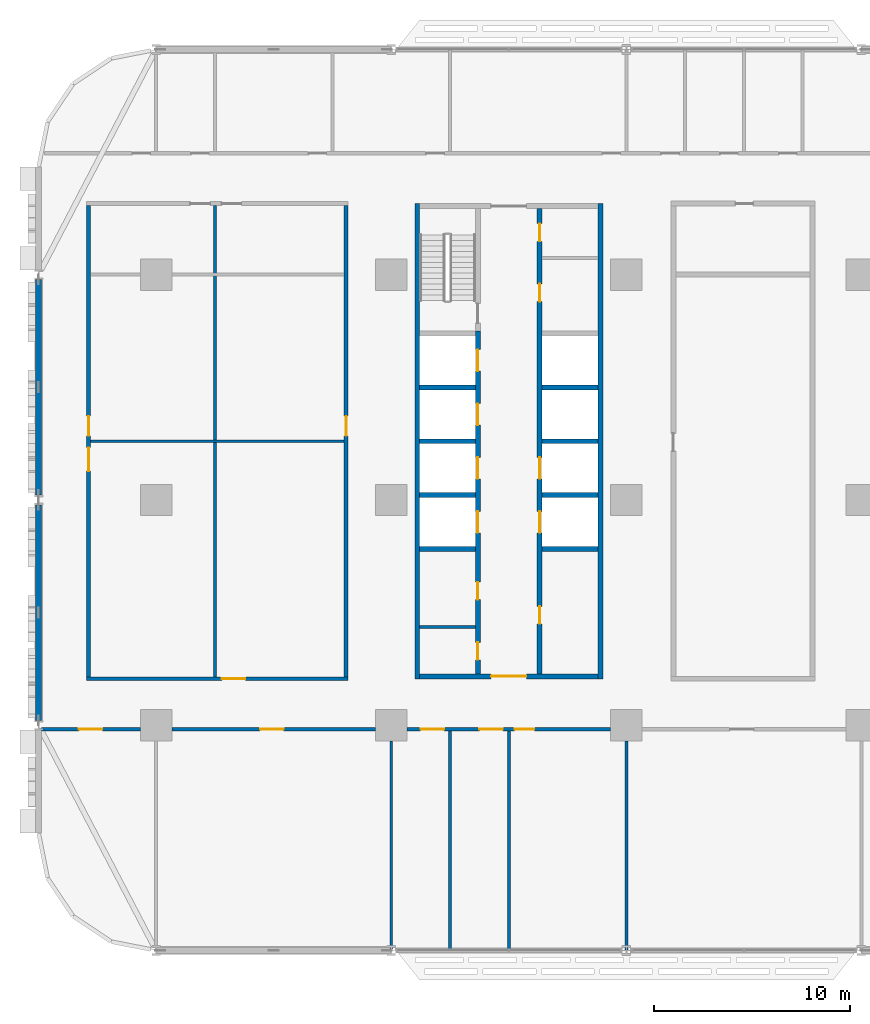
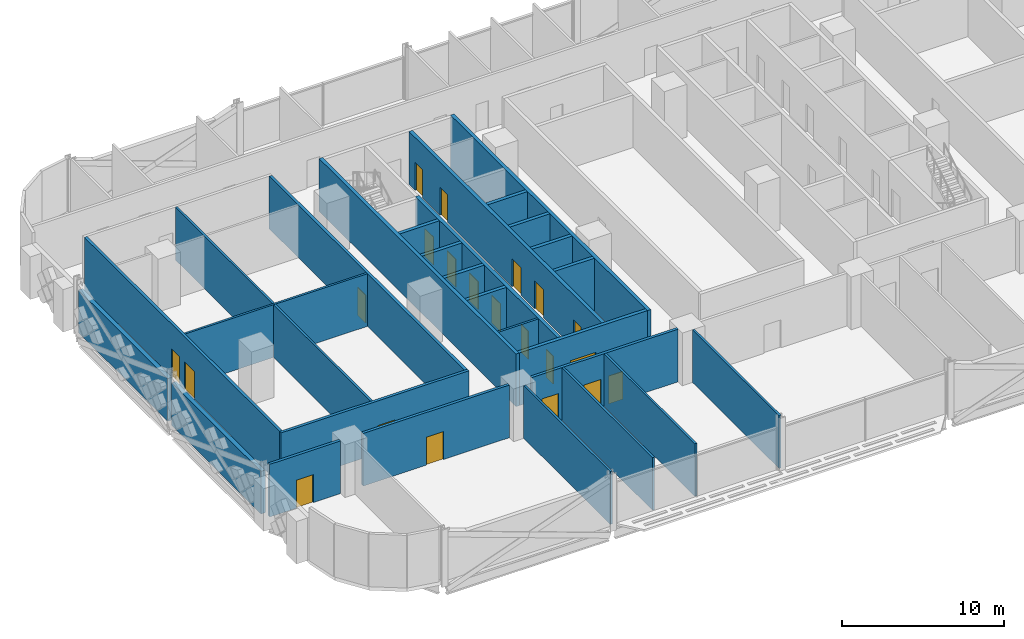
# One storey, part 10 of 27: 28 walls, 21 doors, 21 openings.
"""IFC4 building model written with IfcOpenShell, lengths in metres."""

from ifc_helpers import new_model, si_unit, direction, frame, frame_2d, origin, place, context, subcontext, project, spatial, rectangle, extrude, material, layer, layer_set, type_object, element, fill, save


model = new_model("IFC4")

# Units and contexts
model_context = context("Model", 3, precision=1e-05, world=origin(), true_north=direction((0.0, 1.0)))
body_context = subcontext(model_context, "Body", "Model", "MODEL_VIEW")
ifc_project = project(units=[si_unit("LENGTHUNIT", "METRE"), si_unit("AREAUNIT", "SQUARE_METRE"), si_unit("VOLUMEUNIT", "CUBIC_METRE"), si_unit("PLANEANGLEUNIT", "RADIAN"), si_unit("MASSUNIT", "GRAM", prefix="KILO")], contexts=[model_context])

# Site, building, storey
site_placement = place(None, origin())
site = spatial("IfcSite", under=ifc_project, at=site_placement, CompositionType="ELEMENT")
building_placement = place(site_placement, origin())
building = spatial("IfcBuilding", under=site, at=building_placement, Name="Mahtab Terrace Research Tower", CompositionType="ELEMENT")
storey_placement = place(building_placement, frame((0.0, 0.0, 28.699951171875)))
storey = spatial("IfcBuildingStorey", under=building, at=storey_placement, Name="L06", CompositionType="ELEMENT", Elevation=28.699951171875)

# Walls
ifc_material_1 = material(Name="Gypsum board partition")
ifc_layer_1 = layer(ifc_material_1, 0.14990234375)
ifc_layer_set_1 = layer_set([ifc_layer_1], Name="Core partition 150")
wall_type_1 = type_object("IfcWallType", Name="Core partition 150", PredefinedType="PARTITIONING", material=ifc_layer_set_1)
wall_1_placement = place(storey_placement, frame((-28.550048828125, -6.47509765625, 0.0), z_axis=(0.0, 0.0, 1.0), x_axis=(1.0, 0.0, 0.0)))
element("IfcWall", 1, at=wall_1_placement, inside=storey, type_object=wall_type_1, Name="Core wall A pWS-948", PredefinedType="PARTITIONING", context=body_context, shape_type="SweptSolid", body=[
    extrude(rectangle(XDim=2.85009765625, YDim=0.14990234375, at=frame_2d((1.425048828125, 0.0))), origin(), (0.0, 0.0, 1.0), 3.9599609375),
])
ifc_material_2 = material(Name="Concrete C70/85", Category="concrete")
ifc_layer_2 = layer(ifc_material_2, 0.25)
ifc_layer_set_2 = layer_set([ifc_layer_2], Name="Core wall 250")
wall_type_2 = type_object("IfcWallType", Name="Core wall 250", PredefinedType="SOLIDWALL", material=ifc_layer_set_2)
for number, where, z_axis, x_axis, name in (
    (2, (-28.675048828125, 15.125, 0.0), (0.0, 0.0, 1.0), (0.0, -1.0, 0.0), "Core wall A outerW"),
    (3, (-19.324951171875, -9.125, 0.0), (0.0, 0.0, 1.0), (0.0, 1.0, 0.0), "Core wall A outerE"),
):
    element("IfcWall", number, at=place(storey_placement, frame(where, z_axis=z_axis, x_axis=x_axis)), inside=storey, type_object=wall_type_2, Name=name, PredefinedType="SOLIDWALL", context=body_context, shape_type="SweptSolid", body=[
        extrude(rectangle(XDim=24.25, YDim=0.25, at=frame_2d((12.125, 0.0))), origin(), (0.0, 0.0, 1.0), 3.9599609375),
    ])

# Wall, opening, door
wall_2_placement = place(storey_placement, frame((-19.449951171875, -9.0, 0.0), z_axis=(0.0, 0.0, 1.0), x_axis=(-1.0, 0.0, 0.0)))
wall_2 = element("IfcWall", 4, at=wall_2_placement, inside=storey, type_object=wall_type_2, Name="Core wall A endS", PredefinedType="SOLIDWALL", context=body_context, shape_type="SweptSolid", body=[
    extrude(rectangle(XDim=9.10009765625, YDim=0.25, at=frame_2d((4.550048828125, 0.0))), origin(), (0.0, 0.0, 1.0), 3.9599609375),
])
opening_1_placement = place(wall_2_placement, frame((3.64990234375, 0.0, 0.0)))
opening_1 = element("IfcOpeningElement", 5, at=opening_1_placement, cuts=wall_2, Name="Opening A-S1", PredefinedType="OPENING", context=body_context, shape_type="SweptSolid", body=[
    extrude(rectangle(XDim=1.800048828125, YDim=2.10009765625, at=frame_2d((0.89990234375, 1.050048828125))), frame((0.0, 0.135009765625, 0.0), z_axis=(0.0, -1.0, 0.0), x_axis=(1.0, 0.0, 0.0)), (0.0, 0.0, 1.0), 0.27001953125),
])
ifc_material_3 = material(Name="Steel fire door", Category="steel")
door_type_1 = type_object("IfcDoorType", Name="Lobby double door 1800x2100 1 HR", OperationType="DOUBLE_DOOR_SINGLE_SWING", PredefinedType="DOOR", material=ifc_material_3)
door_1_placement = place(opening_1_placement, origin())
door_1 = element("IfcDoor", 6, at=door_1_placement, inside=storey, type_object=door_type_1, Name="Core entrance door A S", OperationType="DOUBLE_DOOR_SINGLE_SWING", OverallHeight=2.10009765625, OverallWidth=1.800048828125, PredefinedType="DOOR", context=body_context, shape_type="SweptSolid", body=[
    extrude(rectangle(XDim=1.800048828125, YDim=2.10009765625, at=frame_2d((0.89990234375, 1.050048828125))), frame((0.0, 0.02490234375, 0.0), z_axis=(0.0, -1.0, 0.0), x_axis=(1.0, 0.0, 0.0)), (0.0, 0.0, 1.0), 0.050048828125),
])
fill(opening_1, door_1)

# Wall, openings, doors
wall_3_placement = place(storey_placement, frame((-25.574951171875, -8.875, 0.0), z_axis=(0.0, 0.0, 1.0), x_axis=(0.0, 1.0, 0.0)))
wall_3 = element("IfcWall", 7, at=wall_3_placement, inside=storey, type_object=wall_type_2, Name="Core wall A innerWSL", PredefinedType="SOLIDWALL", context=body_context, shape_type="SweptSolid", body=[
    extrude(rectangle(XDim=17.5, YDim=0.25, at=frame_2d((8.75, 0.0))), origin(), (0.0, 0.0, 1.0), 3.9599609375),
])
opening_2_placement = place(wall_3_placement, frame((7.199951171875, 0.0, 0.0)))
opening_2 = element("IfcOpeningElement", 8, at=opening_2_placement, cuts=wall_3, Name="Opening LD01-L06", PredefinedType="OPENING", context=body_context, shape_type="SweptSolid", body=[
    extrude(rectangle(XDim=1.10009765625, YDim=2.10009765625, at=frame_2d((0.550048828125, 1.050048828125))), frame((0.0, 0.135009765625, 0.0), z_axis=(0.0, -1.0, 0.0), x_axis=(1.0, 0.0, 0.0)), (0.0, 0.0, 1.0), 0.27001953125),
])
opening_3_placement = place(wall_3_placement, frame((9.949951171875, 0.0, 0.0)))
opening_3 = element("IfcOpeningElement", 9, at=opening_3_placement, cuts=wall_3, Name="Opening LD02-L06", PredefinedType="OPENING", context=body_context, shape_type="SweptSolid", body=[
    extrude(rectangle(XDim=1.10009765625, YDim=2.10009765625, at=frame_2d((0.550048828125, 1.050048828125))), frame((0.0, 0.135009765625, 0.0), z_axis=(0.0, -1.0, 0.0), x_axis=(1.0, 0.0, 0.0)), (0.0, 0.0, 1.0), 0.27001953125),
])
opening_4_placement = place(wall_3_placement, frame((12.699951171875, 0.0, 0.0)))
opening_4 = element("IfcOpeningElement", 10, at=opening_4_placement, cuts=wall_3, Name="Opening LD03-L06", PredefinedType="OPENING", context=body_context, shape_type="SweptSolid", body=[
    extrude(rectangle(XDim=1.10009765625, YDim=2.10009765625, at=frame_2d((0.550048828125, 1.050048828125))), frame((0.0, 0.135009765625, 0.0), z_axis=(0.0, -1.0, 0.0), x_axis=(1.0, 0.0, 0.0)), (0.0, 0.0, 1.0), 0.27001953125),
])
opening_5_placement = place(wall_3_placement, frame((15.449951171875, 0.0, 0.0)))
opening_5 = element("IfcOpeningElement", 11, at=opening_5_placement, cuts=wall_3, Name="Opening LD04-L06", PredefinedType="OPENING", context=body_context, shape_type="SweptSolid", body=[
    extrude(rectangle(XDim=1.10009765625, YDim=2.10009765625, at=frame_2d((0.550048828125, 1.050048828125))), frame((0.0, 0.135009765625, 0.0), z_axis=(0.0, -1.0, 0.0), x_axis=(1.0, 0.0, 0.0)), (0.0, 0.0, 1.0), 0.27001953125),
])
opening_6_placement = place(wall_3_placement, frame((0.71240234375, 0.0, 0.0)))
opening_6 = element("IfcOpeningElement", 12, at=opening_6_placement, cuts=wall_3, Name="Opening A-R1", PredefinedType="OPENING", context=body_context, shape_type="SweptSolid", body=[
    extrude(rectangle(XDim=0.89990234375, YDim=2.10009765625, at=frame_2d((0.449951171875, 1.050048828125))), frame((0.0, 0.135009765625, 0.0), z_axis=(0.0, -1.0, 0.0), x_axis=(1.0, 0.0, 0.0)), (0.0, 0.0, 1.0), 0.27001953125),
])
opening_7_placement = place(wall_3_placement, frame((3.78759765625, 0.0, 0.0)))
opening_7 = element("IfcOpeningElement", 13, at=opening_7_placement, cuts=wall_3, Name="Opening A-R2", PredefinedType="OPENING", context=body_context, shape_type="SweptSolid", body=[
    extrude(rectangle(XDim=0.89990234375, YDim=2.10009765625, at=frame_2d((0.449951171875, 1.050048828125))), frame((0.0, 0.135009765625, 0.0), z_axis=(0.0, -1.0, 0.0), x_axis=(1.0, 0.0, 0.0)), (0.0, 0.0, 1.0), 0.27001953125),
])
ifc_material_4 = material(Name="Stainless steel AISI 304", Category="steel")
door_type_2 = type_object("IfcDoorType", Name="Landing door 1100x2100", OperationType="DOUBLE_DOOR_SLIDING", PredefinedType="DOOR", material=ifc_material_4)
door_2_placement = place(opening_2_placement, origin())
door_2 = element("IfcDoor", 14, at=door_2_placement, inside=storey, type_object=door_type_2, Name="Landing door LR1 L06", OperationType="DOUBLE_DOOR_SLIDING", OverallHeight=2.10009765625, OverallWidth=1.10009765625, PredefinedType="DOOR", context=body_context, shape_type="SweptSolid", body=[
    extrude(rectangle(XDim=1.10009765625, YDim=2.10009765625, at=frame_2d((0.550048828125, 1.050048828125))), frame((0.0, 0.02490234375, 0.0), z_axis=(0.0, -1.0, 0.0), x_axis=(1.0, 0.0, 0.0)), (0.0, 0.0, 1.0), 0.050048828125),
])
fill(opening_2, door_2)
door_3_placement = place(opening_3_placement, origin())
door_3 = element("IfcDoor", 15, at=door_3_placement, inside=storey, type_object=door_type_2, Name="Landing door LR2 L06", OperationType="DOUBLE_DOOR_SLIDING", OverallHeight=2.10009765625, OverallWidth=1.10009765625, PredefinedType="DOOR", context=body_context, shape_type="SweptSolid", body=[
    extrude(rectangle(XDim=1.10009765625, YDim=2.10009765625, at=frame_2d((0.550048828125, 1.050048828125))), frame((0.0, 0.02490234375, 0.0), z_axis=(0.0, -1.0, 0.0), x_axis=(1.0, 0.0, 0.0)), (0.0, 0.0, 1.0), 0.050048828125),
])
fill(opening_3, door_3)
door_4_placement = place(opening_4_placement, origin())
door_4 = element("IfcDoor", 16, at=door_4_placement, inside=storey, type_object=door_type_2, Name="Landing door LR3 L06", OperationType="DOUBLE_DOOR_SLIDING", OverallHeight=2.10009765625, OverallWidth=1.10009765625, PredefinedType="DOOR", context=body_context, shape_type="SweptSolid", body=[
    extrude(rectangle(XDim=1.10009765625, YDim=2.10009765625, at=frame_2d((0.550048828125, 1.050048828125))), frame((0.0, 0.02490234375, 0.0), z_axis=(0.0, -1.0, 0.0), x_axis=(1.0, 0.0, 0.0)), (0.0, 0.0, 1.0), 0.050048828125),
])
fill(opening_4, door_4)
door_5_placement = place(opening_5_placement, origin())
door_5 = element("IfcDoor", 17, at=door_5_placement, inside=storey, type_object=door_type_2, Name="Landing door LR4 L06", OperationType="DOUBLE_DOOR_SLIDING", OverallHeight=2.10009765625, OverallWidth=1.10009765625, PredefinedType="DOOR", context=body_context, shape_type="SweptSolid", body=[
    extrude(rectangle(XDim=1.10009765625, YDim=2.10009765625, at=frame_2d((0.550048828125, 1.050048828125))), frame((0.0, 0.02490234375, 0.0), z_axis=(0.0, -1.0, 0.0), x_axis=(1.0, 0.0, 0.0)), (0.0, 0.0, 1.0), 0.050048828125),
])
fill(opening_5, door_5)
door_type_3 = type_object("IfcDoorType", Name="Room door 900x2100 1 HR", OperationType="NOTDEFINED", PredefinedType="DOOR", material=ifc_material_3)
door_6_placement = place(opening_6_placement, origin())
door_6 = element("IfcDoor", 18, at=door_6_placement, inside=storey, type_object=door_type_3, Name="Accessible WC door", OperationType="SINGLE_SWING_LEFT", OverallHeight=2.10009765625, OverallWidth=0.89990234375, PredefinedType="DOOR", context=body_context, shape_type="SweptSolid", body=[
    extrude(rectangle(XDim=0.89990234375, YDim=2.10009765625, at=frame_2d((0.449951171875, 1.050048828125))), frame((0.0, 0.02490234375, 0.0), z_axis=(0.0, -1.0, 0.0), x_axis=(1.0, 0.0, 0.0)), (0.0, 0.0, 1.0), 0.050048828125),
])
fill(opening_6, door_6)
door_7_placement = place(opening_7_placement, origin())
door_7 = element("IfcDoor", 19, at=door_7_placement, inside=storey, type_object=door_type_3, Name="WC block door", OperationType="SINGLE_SWING_RIGHT", OverallHeight=2.10009765625, OverallWidth=0.89990234375, PredefinedType="DOOR", context=body_context, shape_type="SweptSolid", body=[
    extrude(rectangle(XDim=0.89990234375, YDim=2.10009765625, at=frame_2d((0.449951171875, 1.050048828125))), frame((0.0, 0.02490234375, 0.0), z_axis=(0.0, -1.0, 0.0), x_axis=(1.0, 0.0, 0.0)), (0.0, 0.0, 1.0), 0.050048828125),
])
fill(opening_7, door_7)

wall_4_placement = place(storey_placement, frame((-22.425048828125, 14.875, 0.0), z_axis=(0.0, 0.0, 1.0), x_axis=(0.0, -1.0, 0.0)))
wall_4 = element("IfcWall", 20, at=wall_4_placement, inside=storey, type_object=wall_type_2, Name="Core wall A innerESLN", PredefinedType="SOLIDWALL", context=body_context, shape_type="SweptSolid", body=[
    extrude(rectangle(XDim=23.75, YDim=0.25, at=frame_2d((11.875, 0.0))), origin(), (0.0, 0.0, 1.0), 3.9599609375),
])
opening_8_placement = place(wall_4_placement, frame((15.449951171875, 0.0, 0.0)))
opening_8 = element("IfcOpeningElement", 21, at=opening_8_placement, cuts=wall_4, Name="Opening LD05-L06", PredefinedType="OPENING", context=body_context, shape_type="SweptSolid", body=[
    extrude(rectangle(XDim=1.10009765625, YDim=2.10009765625, at=frame_2d((0.550048828125, 1.050048828125))), frame((0.0, 0.135009765625, 0.0), z_axis=(0.0, -1.0, 0.0), x_axis=(1.0, 0.0, 0.0)), (0.0, 0.0, 1.0), 0.27001953125),
])
opening_9_placement = place(wall_4_placement, frame((12.699951171875, 0.0, 0.0)))
opening_9 = element("IfcOpeningElement", 22, at=opening_9_placement, cuts=wall_4, Name="Opening LD06-L06", PredefinedType="OPENING", context=body_context, shape_type="SweptSolid", body=[
    extrude(rectangle(XDim=1.10009765625, YDim=2.10009765625, at=frame_2d((0.550048828125, 1.050048828125))), frame((0.0, 0.135009765625, 0.0), z_axis=(0.0, -1.0, 0.0), x_axis=(1.0, 0.0, 0.0)), (0.0, 0.0, 1.0), 0.27001953125),
])
opening_10_placement = place(wall_4_placement, frame((20.300048828125, 0.0, 0.0)))
opening_10 = element("IfcOpeningElement", 23, at=opening_10_placement, cuts=wall_4, Name="Opening A-R3", PredefinedType="OPENING", context=body_context, shape_type="SweptSolid", body=[
    extrude(rectangle(XDim=0.89990234375, YDim=2.10009765625, at=frame_2d((0.449951171875, 1.050048828125))), frame((0.0, 0.135009765625, 0.0), z_axis=(0.0, -1.0, 0.0), x_axis=(1.0, 0.0, 0.0)), (0.0, 0.0, 1.0), 0.27001953125),
])
opening_11_placement = place(wall_4_placement, frame((3.847412109375, 0.0, 0.0)))
opening_11 = element("IfcOpeningElement", 24, at=opening_11_placement, cuts=wall_4, Name="Opening A-R4", PredefinedType="OPENING", context=body_context, shape_type="SweptSolid", body=[
    extrude(rectangle(XDim=0.89990234375, YDim=2.10009765625, at=frame_2d((0.449951171875, 1.050048828125))), frame((0.0, 0.135009765625, 0.0), z_axis=(0.0, -1.0, 0.0), x_axis=(1.0, 0.0, 0.0)), (0.0, 0.0, 1.0), 0.27001953125),
])
opening_12_placement = place(wall_4_placement, frame((0.7724609375, 0.0, 0.0)))
opening_12 = element("IfcOpeningElement", 25, at=opening_12_placement, cuts=wall_4, Name="Opening A-R5", PredefinedType="OPENING", context=body_context, shape_type="SweptSolid", body=[
    extrude(rectangle(XDim=0.89990234375, YDim=2.10009765625, at=frame_2d((0.449951171875, 1.050048828125))), frame((0.0, 0.135009765625, 0.0), z_axis=(0.0, -1.0, 0.0), x_axis=(1.0, 0.0, 0.0)), (0.0, 0.0, 1.0), 0.27001953125),
])
door_8_placement = place(opening_8_placement, origin())
door_8 = element("IfcDoor", 26, at=door_8_placement, inside=storey, type_object=door_type_2, Name="Landing door LR5 L06", OperationType="DOUBLE_DOOR_SLIDING", OverallHeight=2.10009765625, OverallWidth=1.10009765625, PredefinedType="DOOR", context=body_context, shape_type="SweptSolid", body=[
    extrude(rectangle(XDim=1.10009765625, YDim=2.10009765625, at=frame_2d((0.550048828125, 1.050048828125))), frame((0.0, 0.02490234375, 0.0), z_axis=(0.0, -1.0, 0.0), x_axis=(1.0, 0.0, 0.0)), (0.0, 0.0, 1.0), 0.050048828125),
])
fill(opening_8, door_8)
door_9_placement = place(opening_9_placement, origin())
door_9 = element("IfcDoor", 27, at=door_9_placement, inside=storey, type_object=door_type_2, Name="Landing door LR6 L06", OperationType="DOUBLE_DOOR_SLIDING", OverallHeight=2.10009765625, OverallWidth=1.10009765625, PredefinedType="DOOR", context=body_context, shape_type="SweptSolid", body=[
    extrude(rectangle(XDim=1.10009765625, YDim=2.10009765625, at=frame_2d((0.550048828125, 1.050048828125))), frame((0.0, 0.02490234375, 0.0), z_axis=(0.0, -1.0, 0.0), x_axis=(1.0, 0.0, 0.0)), (0.0, 0.0, 1.0), 0.050048828125),
])
fill(opening_9, door_9)
door_10_placement = place(opening_10_placement, origin())
door_10 = element("IfcDoor", 28, at=door_10_placement, inside=storey, type_object=door_type_3, Name="Gas cylinder store door", OperationType="SINGLE_SWING_LEFT", OverallHeight=2.10009765625, OverallWidth=0.89990234375, PredefinedType="DOOR", context=body_context, shape_type="SweptSolid", body=[
    extrude(rectangle(XDim=0.89990234375, YDim=2.10009765625, at=frame_2d((0.449951171875, 1.050048828125))), frame((0.0, 0.02490234375, 0.0), z_axis=(0.0, -1.0, 0.0), x_axis=(1.0, 0.0, 0.0)), (0.0, 0.0, 1.0), 0.050048828125),
])
fill(opening_10, door_10)
door_11_placement = place(opening_11_placement, origin())
door_11 = element("IfcDoor", 29, at=door_11_placement, inside=storey, type_object=door_type_3, Name="Pantry door", OperationType="SINGLE_SWING_RIGHT", OverallHeight=2.10009765625, OverallWidth=0.89990234375, PredefinedType="DOOR", context=body_context, shape_type="SweptSolid", body=[
    extrude(rectangle(XDim=0.89990234375, YDim=2.10009765625, at=frame_2d((0.449951171875, 1.050048828125))), frame((0.0, 0.02490234375, 0.0), z_axis=(0.0, -1.0, 0.0), x_axis=(1.0, 0.0, 0.0)), (0.0, 0.0, 1.0), 0.050048828125),
])
fill(opening_11, door_11)
door_12_placement = place(opening_12_placement, origin())
door_12 = element("IfcDoor", 30, at=door_12_placement, inside=storey, type_object=door_type_3, Name="Linen store door", OperationType="SINGLE_SWING_LEFT", OverallHeight=2.10009765625, OverallWidth=0.89990234375, PredefinedType="DOOR", context=body_context, shape_type="SweptSolid", body=[
    extrude(rectangle(XDim=0.89990234375, YDim=2.10009765625, at=frame_2d((0.449951171875, 1.050048828125))), frame((0.0, 0.02490234375, 0.0), z_axis=(0.0, -1.0, 0.0), x_axis=(1.0, 0.0, 0.0)), (0.0, 0.0, 1.0), 0.050048828125),
])
fill(opening_12, door_12)

# Walls
for number, where, z_axis, x_axis, name in (
    (31, (-28.550048828125, -2.5, 0.0), (0.0, 0.0, 1.0), (1.0, 0.0, 0.0), "Core wall A divW0"),
    (32, (-28.550048828125, 0.25, 0.0), (0.0, 0.0, 1.0), (1.0, 0.0, 0.0), "Core wall A divW1"),
    (33, (-28.550048828125, 3.0, 0.0), (0.0, 0.0, 1.0), (1.0, 0.0, 0.0), "Core wall A divW2"),
    (34, (-28.550048828125, 5.75, 0.0), (0.0, 0.0, 1.0), (1.0, 0.0, 0.0), "Core wall A divW3"),
    (35, (-22.300048828125, -2.5, 0.0), (0.0, 0.0, 1.0), (1.0, 0.0, 0.0), "Core wall A divE0"),
    (36, (-22.300048828125, 0.25, 0.0), (0.0, 0.0, 1.0), (1.0, 0.0, 0.0), "Core wall A divE1"),
    (37, (-22.300048828125, 3.0, 0.0), (0.0, 0.0, 1.0), (1.0, 0.0, 0.0), "Core wall A divE2"),
    (38, (-22.300048828125, 5.75, 0.0), (0.0, 0.0, 1.0), (1.0, 0.0, 0.0), "Core wall A divE3"),
):
    element("IfcWall", number, at=place(storey_placement, frame(where, z_axis=z_axis, x_axis=x_axis)), inside=storey, type_object=wall_type_2, Name=name, PredefinedType="SOLIDWALL", context=body_context, shape_type="SweptSolid", body=[
        extrude(rectangle(XDim=2.85009765625, YDim=0.25, at=frame_2d((1.425048828125, 0.0))), origin(), (0.0, 0.0, 1.0), 3.9599609375),
    ])
ifc_material_5 = material(Name="Black aluminium cladding panel", Category="aluminium")
ifc_layer_3 = layer(ifc_material_5, 0.300048828125)
ifc_layer_set_3 = layer_set([ifc_layer_3], Name="Opaque facade wall 300")
wall_type_3 = type_object("IfcWallType", Name="Opaque facade wall 300", PredefinedType="NOTDEFINED", material=ifc_layer_set_3)
for number, where, z_axis, x_axis, name in (
    (39, (-48.0, 11.2509765625, 0.0), (0.0, 0.0, 1.0), (0.0, -1.0, 0.0), "Opaque facade wall L06 W15"),
    (40, (-48.0, -0.2490234375, 0.0), (0.0, 0.0, 1.0), (0.0, -1.0, 0.0), "Opaque facade wall L06 W16"),
):
    element("IfcWall", number, at=place(storey_placement, frame(where, z_axis=z_axis, x_axis=x_axis)), inside=storey, type_object=wall_type_3, Name=name, PredefinedType="NOTDEFINED", context=body_context, shape_type="SweptSolid", body=[
        extrude(rectangle(XDim=11.001953125, YDim=0.300048828125, at=frame_2d((5.5009765625, 0.0))), origin(), (0.0, 0.0, 1.0), 3.203125),
    ])

# Wall, opening, door
ifc_material_6 = material(Name="Gypsum board corridor wall on steel studs", Category="steel")
ifc_layer_4 = layer(ifc_material_6, 0.199951171875)
ifc_layer_set_4 = layer_set([ifc_layer_4], Name="WALL CORRIDOR 200")
wall_type_4 = type_object("IfcWallType", Name="WALL CORRIDOR 200", PredefinedType="PARTITIONING", material=ifc_layer_set_4)
wall_5_placement = place(storey_placement, frame((-47.85009765625, -11.699951171875, 0.0), z_axis=(0.0, 0.0, 1.0), x_axis=(1.0, 0.0, 0.0)))
wall_5 = element("IfcWall", 41, at=wall_5_placement, inside=storey, type_object=wall_type_4, Name="L06-W001", PredefinedType="PARTITIONING", context=body_context, shape_type="SweptSolid", body=[
    extrude(rectangle(XDim=5.050048828125, YDim=0.199951171875, at=frame_2d((2.52490234375, 0.0))), origin(), (0.0, 0.0, 1.0), 3.9599609375),
])
opening_13_placement = place(wall_5_placement, frame((1.89990234375, 0.0, 0.0)))
opening_13 = element("IfcOpeningElement", 42, at=opening_13_placement, cuts=wall_5, Name="Opening L06-101", PredefinedType="OPENING", context=body_context, shape_type="SweptSolid", body=[
    extrude(rectangle(XDim=1.199951171875, YDim=2.10009765625, at=frame_2d((0.60009765625, 1.050048828125))), frame((0.0, 0.10986328125, 0.0), z_axis=(0.0, -1.0, 0.0), x_axis=(1.0, 0.0, 0.0)), (0.0, 0.0, 1.0), 0.219970703125),
])
ifc_material_7 = material(Name="Timber door leaf in steel frame", Category="steel")
door_type_4 = type_object("IfcDoorType", Name="DOOR 1200X2100 FD30S", OperationType="SINGLE_SWING_LEFT", PredefinedType="DOOR", material=ifc_material_7)
door_13_placement = place(opening_13_placement, origin())
door_13 = element("IfcDoor", 43, at=door_13_placement, inside=storey, type_object=door_type_4, Name="Door L06-101", OperationType="SINGLE_SWING_RIGHT", OverallHeight=2.10009765625, OverallWidth=1.199951171875, PredefinedType="DOOR", context=body_context, shape_type="SweptSolid", body=[
    extrude(rectangle(XDim=1.199951171875, YDim=2.10009765625, at=frame_2d((0.60009765625, 1.050048828125))), frame((0.0, 0.02490234375, 0.0), z_axis=(0.0, -1.0, 0.0), x_axis=(1.0, 0.0, 0.0)), (0.0, 0.0, 1.0), 0.050048828125),
])
fill(opening_13, door_13)

wall_6_placement = place(storey_placement, frame((-41.199951171875, -11.699951171875, 0.0), z_axis=(0.0, 0.0, 1.0), x_axis=(1.0, 0.0, 0.0)))
wall_6 = element("IfcWall", 44, at=wall_6_placement, inside=storey, type_object=wall_type_4, Name="L06-W002", PredefinedType="PARTITIONING", context=body_context, shape_type="SweptSolid", body=[
    extrude(rectangle(XDim=10.39990234375, YDim=0.199951171875, at=frame_2d((5.199951171875, 0.0))), origin(), (0.0, 0.0, 1.0), 3.9599609375),
])
opening_14_placement = place(wall_6_placement, frame((4.5, 0.0, 0.0)))
opening_14 = element("IfcOpeningElement", 45, at=opening_14_placement, cuts=wall_6, Name="Opening L06-102", PredefinedType="OPENING", context=body_context, shape_type="SweptSolid", body=[
    extrude(rectangle(XDim=1.199951171875, YDim=2.10009765625, at=frame_2d((0.60009765625, 1.050048828125))), frame((0.0, 0.10986328125, 0.0), z_axis=(0.0, -1.0, 0.0), x_axis=(1.0, 0.0, 0.0)), (0.0, 0.0, 1.0), 0.219970703125),
])
door_14_placement = place(opening_14_placement, origin())
door_14 = element("IfcDoor", 46, at=door_14_placement, inside=storey, type_object=door_type_4, Name="Door L06-102", OperationType="SINGLE_SWING_RIGHT", OverallHeight=2.10009765625, OverallWidth=1.199951171875, PredefinedType="DOOR", context=body_context, shape_type="SweptSolid", body=[
    extrude(rectangle(XDim=1.199951171875, YDim=2.10009765625, at=frame_2d((0.60009765625, 1.050048828125))), frame((0.0, 0.02490234375, 0.0), z_axis=(0.0, -1.0, 0.0), x_axis=(1.0, 0.0, 0.0)), (0.0, 0.0, 1.0), 0.050048828125),
])
fill(opening_14, door_14)

# Wall, openings, doors
wall_7_placement = place(storey_placement, frame((-29.199951171875, -11.699951171875, 0.0), z_axis=(0.0, 0.0, 1.0), x_axis=(1.0, 0.0, 0.0)))
wall_7 = element("IfcWall", 47, at=wall_7_placement, inside=storey, type_object=wall_type_4, Name="L06-W003", PredefinedType="PARTITIONING", context=body_context, shape_type="SweptSolid", body=[
    extrude(rectangle(XDim=10.39990234375, YDim=0.199951171875, at=frame_2d((5.199951171875, 0.0))), origin(), (0.0, 0.0, 1.0), 3.9599609375),
])
opening_15_placement = place(wall_7_placement, frame((0.699951171875, 0.0, 0.0)))
opening_15 = element("IfcOpeningElement", 48, at=opening_15_placement, cuts=wall_7, Name="Opening L06-103", PredefinedType="OPENING", context=body_context, shape_type="SweptSolid", body=[
    extrude(rectangle(XDim=1.199951171875, YDim=2.10009765625, at=frame_2d((0.60009765625, 1.050048828125))), frame((0.0, 0.10986328125, 0.0), z_axis=(0.0, -1.0, 0.0), x_axis=(1.0, 0.0, 0.0)), (0.0, 0.0, 1.0), 0.219970703125),
])
opening_16_placement = place(wall_7_placement, frame((3.699951171875, 0.0, 0.0)))
opening_16 = element("IfcOpeningElement", 49, at=opening_16_placement, cuts=wall_7, Name="Opening L06-104", PredefinedType="OPENING", context=body_context, shape_type="SweptSolid", body=[
    extrude(rectangle(XDim=1.199951171875, YDim=2.10009765625, at=frame_2d((0.60009765625, 1.050048828125))), frame((0.0, 0.10986328125, 0.0), z_axis=(0.0, -1.0, 0.0), x_axis=(1.0, 0.0, 0.0)), (0.0, 0.0, 1.0), 0.219970703125),
])
opening_17_placement = place(wall_7_placement, frame((5.5, 0.0, 0.0)))
opening_17 = element("IfcOpeningElement", 50, at=opening_17_placement, cuts=wall_7, Name="Opening L06-105", PredefinedType="OPENING", context=body_context, shape_type="SweptSolid", body=[
    extrude(rectangle(XDim=1.0, YDim=2.10009765625, at=frame_2d((0.5, 1.050048828125))), frame((0.0, 0.10986328125, 0.0), z_axis=(0.0, -1.0, 0.0), x_axis=(1.0, 0.0, 0.0)), (0.0, 0.0, 1.0), 0.219970703125),
])
door_type_5 = type_object("IfcDoorType", Name="DOOR 1000X2100 FD30S", OperationType="SINGLE_SWING_LEFT", PredefinedType="DOOR", material=ifc_material_7)
door_15_placement = place(opening_17_placement, origin())
door_15 = element("IfcDoor", 51, at=door_15_placement, inside=storey, type_object=door_type_5, Name="Door L06-105", OperationType="SINGLE_SWING_LEFT", OverallHeight=2.10009765625, OverallWidth=1.0, PredefinedType="DOOR", context=body_context, shape_type="SweptSolid", body=[
    extrude(rectangle(XDim=1.0, YDim=2.10009765625, at=frame_2d((0.5, 1.050048828125))), frame((0.0, 0.02490234375, 0.0), z_axis=(0.0, -1.0, 0.0), x_axis=(1.0, 0.0, 0.0)), (0.0, 0.0, 1.0), 0.050048828125),
])
fill(opening_17, door_15)
door_16_placement = place(opening_15_placement, origin())
door_16 = element("IfcDoor", 52, at=door_16_placement, inside=storey, type_object=door_type_4, Name="Door L06-103", OperationType="SINGLE_SWING_RIGHT", OverallHeight=2.10009765625, OverallWidth=1.199951171875, PredefinedType="DOOR", context=body_context, shape_type="SweptSolid", body=[
    extrude(rectangle(XDim=1.199951171875, YDim=2.10009765625, at=frame_2d((0.60009765625, 1.050048828125))), frame((0.0, 0.02490234375, 0.0), z_axis=(0.0, -1.0, 0.0), x_axis=(1.0, 0.0, 0.0)), (0.0, 0.0, 1.0), 0.050048828125),
])
fill(opening_15, door_16)
door_17_placement = place(opening_16_placement, origin())
door_17 = element("IfcDoor", 53, at=door_17_placement, inside=storey, type_object=door_type_4, Name="Door L06-104", OperationType="SINGLE_SWING_RIGHT", OverallHeight=2.10009765625, OverallWidth=1.199951171875, PredefinedType="DOOR", context=body_context, shape_type="SweptSolid", body=[
    extrude(rectangle(XDim=1.199951171875, YDim=2.10009765625, at=frame_2d((0.60009765625, 1.050048828125))), frame((0.0, 0.02490234375, 0.0), z_axis=(0.0, -1.0, 0.0), x_axis=(1.0, 0.0, 0.0)), (0.0, 0.0, 1.0), 0.050048828125),
])
fill(opening_16, door_17)

# Wall, opening, door
wall_8_placement = place(storey_placement, frame((-45.550048828125, -9.125, 0.0), z_axis=(0.0, 0.0, 1.0), x_axis=(1.0, 0.0, 0.0)))
wall_8 = element("IfcWall", 54, at=wall_8_placement, inside=storey, type_object=wall_type_4, Name="L06-W010", PredefinedType="PARTITIONING", context=body_context, shape_type="SweptSolid", body=[
    extrude(rectangle(XDim=13.35009765625, YDim=0.199951171875, at=frame_2d((6.675048828125, 0.0))), origin(), (0.0, 0.0, 1.0), 3.9599609375),
])
opening_18_placement = place(wall_8_placement, frame((6.89990234375, 0.0, 0.0)))
opening_18 = element("IfcOpeningElement", 55, at=opening_18_placement, cuts=wall_8, Name="Opening L06-117", PredefinedType="OPENING", context=body_context, shape_type="SweptSolid", body=[
    extrude(rectangle(XDim=1.199951171875, YDim=2.10009765625, at=frame_2d((0.60009765625, 1.050048828125))), frame((0.0, 0.10986328125, 0.0), z_axis=(0.0, -1.0, 0.0), x_axis=(1.0, 0.0, 0.0)), (0.0, 0.0, 1.0), 0.219970703125),
])
door_18_placement = place(opening_18_placement, origin())
door_18 = element("IfcDoor", 56, at=door_18_placement, inside=storey, type_object=door_type_4, Name="Door L06-117", OperationType="SINGLE_SWING_RIGHT", OverallHeight=2.10009765625, OverallWidth=1.199951171875, PredefinedType="DOOR", context=body_context, shape_type="SweptSolid", body=[
    extrude(rectangle(XDim=1.199951171875, YDim=2.10009765625, at=frame_2d((0.60009765625, 1.050048828125))), frame((0.0, 0.02490234375, 0.0), z_axis=(0.0, -1.0, 0.0), x_axis=(1.0, 0.0, 0.0)), (0.0, 0.0, 1.0), 0.050048828125),
])
fill(opening_18, door_18)

# Wall, openings, doors
wall_9_placement = place(storey_placement, frame((-45.449951171875, -9.02490234375, 0.0), z_axis=(0.0, 0.0, 1.0), x_axis=(0.0, 1.0, 0.0)))
wall_9 = element("IfcWall", 57, at=wall_9_placement, inside=storey, type_object=wall_type_4, Name="L06-W027", PredefinedType="PARTITIONING", context=body_context, shape_type="SweptSolid", body=[
    extrude(rectangle(XDim=24.0498046875, YDim=0.199951171875, at=frame_2d((12.02490234375, 0.0))), origin(), (0.0, 0.0, 1.0), 3.9599609375),
])
opening_19_placement = place(wall_9_placement, frame((10.5, 0.0, 0.0)))
opening_19 = element("IfcOpeningElement", 58, at=opening_19_placement, cuts=wall_9, Name="Opening L06-116", PredefinedType="OPENING", context=body_context, shape_type="SweptSolid", body=[
    extrude(rectangle(XDim=1.199951171875, YDim=2.10009765625, at=frame_2d((0.60009765625, 1.050048828125))), frame((0.0, 0.10986328125, 0.0), z_axis=(0.0, -1.0, 0.0), x_axis=(1.0, 0.0, 0.0)), (0.0, 0.0, 1.0), 0.219970703125),
])
opening_20_placement = place(wall_9_placement, frame((12.300048828125, 0.0, 0.0)))
opening_20 = element("IfcOpeningElement", 59, at=opening_20_placement, cuts=wall_9, Name="Opening L06-121", PredefinedType="OPENING", context=body_context, shape_type="SweptSolid", body=[
    extrude(rectangle(XDim=1.0, YDim=2.10009765625, at=frame_2d((0.5, 1.050048828125))), frame((0.0, 0.10986328125, 0.0), z_axis=(0.0, -1.0, 0.0), x_axis=(1.0, 0.0, 0.0)), (0.0, 0.0, 1.0), 0.219970703125),
])
door_19_placement = place(opening_20_placement, origin())
door_19 = element("IfcDoor", 60, at=door_19_placement, inside=storey, type_object=door_type_5, Name="Door L06-121", OperationType="SINGLE_SWING_LEFT", OverallHeight=2.10009765625, OverallWidth=1.0, PredefinedType="DOOR", context=body_context, shape_type="SweptSolid", body=[
    extrude(rectangle(XDim=1.0, YDim=2.10009765625, at=frame_2d((0.5, 1.050048828125))), frame((0.0, 0.02490234375, 0.0), z_axis=(0.0, -1.0, 0.0), x_axis=(1.0, 0.0, 0.0)), (0.0, 0.0, 1.0), 0.050048828125),
])
fill(opening_20, door_19)
door_20_placement = place(opening_19_placement, origin())
door_20 = element("IfcDoor", 61, at=door_20_placement, inside=storey, type_object=door_type_4, Name="Door L06-116", OperationType="SINGLE_SWING_RIGHT", OverallHeight=2.10009765625, OverallWidth=1.199951171875, PredefinedType="DOOR", context=body_context, shape_type="SweptSolid", body=[
    extrude(rectangle(XDim=1.199951171875, YDim=2.10009765625, at=frame_2d((0.60009765625, 1.050048828125))), frame((0.0, 0.02490234375, 0.0), z_axis=(0.0, -1.0, 0.0), x_axis=(1.0, 0.0, 0.0)), (0.0, 0.0, 1.0), 0.050048828125),
])
fill(opening_19, door_20)

# Wall, opening, door
wall_10_placement = place(storey_placement, frame((-32.300048828125, -9.02490234375, 0.0), z_axis=(0.0, 0.0, 1.0), x_axis=(0.0, 1.0, 0.0)))
wall_10 = element("IfcWall", 62, at=wall_10_placement, inside=storey, type_object=wall_type_4, Name="L06-W033", PredefinedType="PARTITIONING", context=body_context, shape_type="SweptSolid", body=[
    extrude(rectangle(XDim=24.0498046875, YDim=0.199951171875, at=frame_2d((12.02490234375, 0.0))), origin(), (0.0, 0.0, 1.0), 3.9599609375),
])
opening_21_placement = place(wall_10_placement, frame((12.300048828125, 0.0, 0.0)))
opening_21 = element("IfcOpeningElement", 63, at=opening_21_placement, cuts=wall_10, Name="Opening L06-122", PredefinedType="OPENING", context=body_context, shape_type="SweptSolid", body=[
    extrude(rectangle(XDim=1.0, YDim=2.10009765625, at=frame_2d((0.5, 1.050048828125))), frame((0.0, 0.10986328125, 0.0), z_axis=(0.0, -1.0, 0.0), x_axis=(1.0, 0.0, 0.0)), (0.0, 0.0, 1.0), 0.219970703125),
])
door_21_placement = place(opening_21_placement, origin())
door_21 = element("IfcDoor", 64, at=door_21_placement, inside=storey, type_object=door_type_5, Name="Door L06-122", OperationType="SINGLE_SWING_RIGHT", OverallHeight=2.10009765625, OverallWidth=1.0, PredefinedType="DOOR", context=body_context, shape_type="SweptSolid", body=[
    extrude(rectangle(XDim=1.0, YDim=2.10009765625, at=frame_2d((0.5, 1.050048828125))), frame((0.0, 0.02490234375, 0.0), z_axis=(0.0, -1.0, 0.0), x_axis=(1.0, 0.0, 0.0)), (0.0, 0.0, 1.0), 0.050048828125),
])
fill(opening_21, door_21)

# Walls
ifc_material_8 = material(Name="Gypsum board partition on steel studs", Category="steel")
ifc_layer_5 = layer(ifc_material_8, 0.14990234375)
ifc_layer_set_5 = layer_set([ifc_layer_5], Name="WALL PARTITION 150")
wall_type_5 = type_object("IfcWallType", Name="WALL PARTITION 150", PredefinedType="PARTITIONING", material=ifc_layer_set_5)
wall_11_placement = place(storey_placement, frame((-45.35009765625, 3.0, 0.0), z_axis=(0.0, 0.0, 1.0), x_axis=(1.0, 0.0, 0.0)))
element("IfcWall", 65, at=wall_11_placement, inside=storey, type_object=wall_type_5, Name="L06-W014", PredefinedType="PARTITIONING", context=body_context, shape_type="SweptSolid", body=[
    extrude(rectangle(XDim=12.9501953125, YDim=0.14990234375, at=frame_2d((6.47509765625, 0.0))), origin(), (0.0, 0.0, 1.0), 3.9599609375),
])
wall_12_placement = place(storey_placement, frame((-39.0, -9.02490234375, 0.0), z_axis=(0.0, 0.0, 1.0), x_axis=(0.0, 1.0, 0.0)))
element("IfcWall", 66, at=wall_12_placement, inside=storey, type_object=wall_type_5, Name="L06-W030", PredefinedType="PARTITIONING", context=body_context, shape_type="SweptSolid", body=[
    extrude(rectangle(XDim=24.0498046875, YDim=0.14990234375, at=frame_2d((12.02490234375, 0.0))), origin(), (0.0, 0.0, 1.0), 3.9599609375),
])
wall_13_placement = place(storey_placement, frame((-30.0, -22.97509765625, 0.0), z_axis=(0.0, 0.0, 1.0), x_axis=(0.0, 1.0, 0.0)))
element("IfcWall", 67, at=wall_13_placement, inside=storey, type_object=wall_type_5, Name="L06-W034", PredefinedType="PARTITIONING", context=body_context, shape_type="SweptSolid", body=[
    extrude(rectangle(XDim=10.675048828125, YDim=0.14990234375, at=frame_2d((5.33740234375, 0.0))), origin(), (0.0, 0.0, 1.0), 3.9599609375),
])
for number, where, z_axis, x_axis, name in (
    (68, (-27.0, -22.97509765625, 0.0), (0.0, 0.0, 1.0), (0.0, 1.0, 0.0), "L06-W035"),
    (69, (-24.0, -22.97509765625, 0.0), (0.0, 0.0, 1.0), (0.0, 1.0, 0.0), "L06-W037"),
):
    element("IfcWall", number, at=place(storey_placement, frame(where, z_axis=z_axis, x_axis=x_axis)), inside=storey, type_object=wall_type_5, Name=name, PredefinedType="PARTITIONING", context=body_context, shape_type="SweptSolid", body=[
        extrude(rectangle(XDim=11.175048828125, YDim=0.14990234375, at=frame_2d((5.58740234375, 0.0))), origin(), (0.0, 0.0, 1.0), 3.9599609375),
    ])
wall_14_placement = place(storey_placement, frame((-18.0, -22.97509765625, 0.0), z_axis=(0.0, 0.0, 1.0), x_axis=(0.0, 1.0, 0.0)))
element("IfcWall", 70, at=wall_14_placement, inside=storey, type_object=wall_type_5, Name="L06-W038", PredefinedType="PARTITIONING", context=body_context, shape_type="SweptSolid", body=[
    extrude(rectangle(XDim=10.675048828125, YDim=0.14990234375, at=frame_2d((5.33740234375, 0.0))), origin(), (0.0, 0.0, 1.0), 3.9599609375),
])

save(model, "model.ifc")
